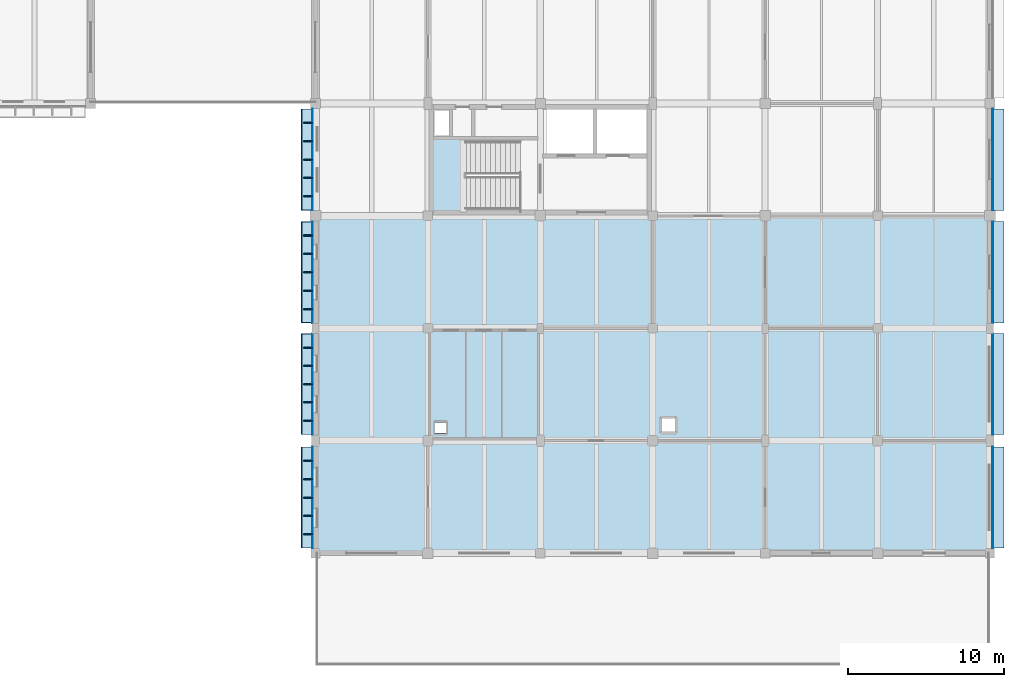
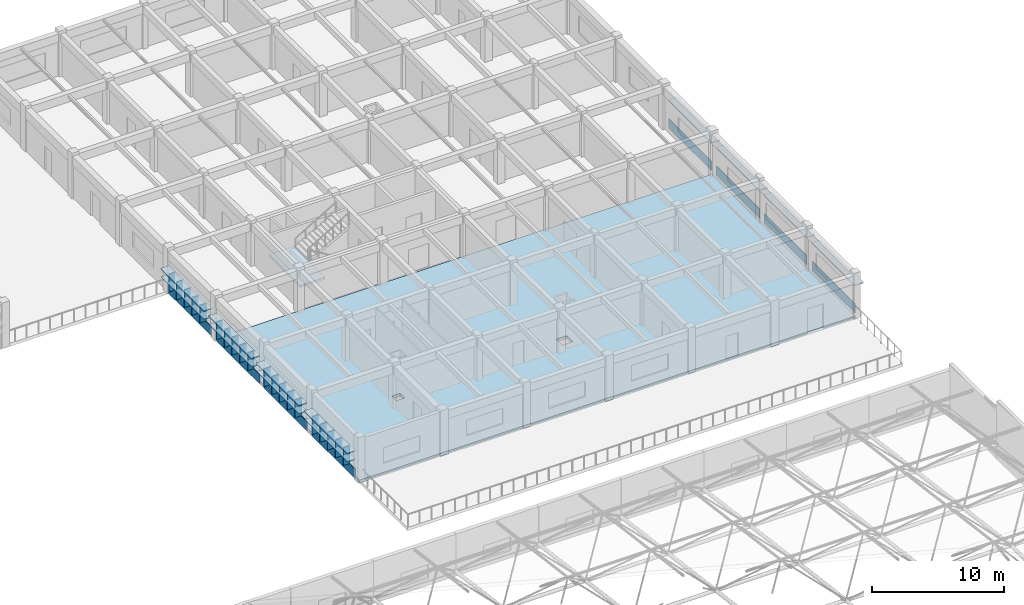
# One storey, part 77 of 103: 40 plates, 2 slabs, 1 element without a shape of its own.
"""IFC4 building model written with IfcOpenShell, lengths in metres."""

from ifc_helpers import new_model, si_unit, direction, frame, origin, origin_2d, place, context, subcontext, project, spatial, polyline, rectangle, outline, extrude, material, layer, layer_set, type_object, element, aggregate, save


model = new_model("IFC4")

# Units and contexts
model_context = context("Model", 3, precision=1e-05, world=origin(), true_north=direction((0.0, 1.0)))
body_context = subcontext(model_context, "Body", "Model", "MODEL_VIEW")
ifc_project = project(units=[si_unit("LENGTHUNIT", "METRE"), si_unit("AREAUNIT", "SQUARE_METRE"), si_unit("VOLUMEUNIT", "CUBIC_METRE"), si_unit("PLANEANGLEUNIT", "RADIAN"), si_unit("MASSUNIT", "GRAM", prefix="KILO")], contexts=[model_context])

# Site, building, storey
site_placement = place(None, origin())
site = spatial("IfcSite", under=ifc_project, at=site_placement, CompositionType="ELEMENT")
building_placement = place(site_placement, origin())
building = spatial("IfcBuilding", under=site, at=building_placement, Name="Thalmaran Polytechnic", CompositionType="ELEMENT")
storey_placement = place(building_placement, frame((0.0, 0.0, 14.39990234375)))
storey = spatial("IfcBuildingStorey", under=building, at=storey_placement, Name="L03", CompositionType="ELEMENT", Elevation=14.39990234375)

# Plates
ifc_material_1 = material(Name="Anodised aluminium spandrel band", Category="aluminium")
ifc_layer_1 = layer(ifc_material_1, 0.054931640625, Name="Anodised aluminium spandrel band")
ifc_layer_set_1 = layer_set([ifc_layer_1], Name="Anodised aluminium spandrel band")
plate_type_1 = type_object("IfcPlateType", Name="PT-BD01", PredefinedType="SHEET", material=ifc_layer_set_1)
plate_1_placement = place(storey_placement, frame((172.969970703125, 90.007568359375, 0.020263671875), z_axis=(0.0, 0.0, 1.0), x_axis=(0.0, -1.0, 0.0)))
element("IfcPlate", 1, at=plate_1_placement, inside=storey, type_object=plate_type_1, Name="Streamline Horizontal Spandrel Band L03-014", PredefinedType="SHEET", context=body_context, shape_type="SweptSolid", body=[
    extrude(rectangle(XDim=6.4951171875, YDim=0.054931640625, at=origin_2d()), origin(), (0.0, 0.0, 1.0), 0.8798828125),
])
plate_2_placement = place(storey_placement, frame((172.969970703125, 82.7900390625, 0.020263671875), z_axis=(0.0, 0.0, 1.0), x_axis=(0.0, -1.0, 0.0)))
element("IfcPlate", 2, at=plate_2_placement, inside=storey, type_object=plate_type_1, Name="Streamline Horizontal Spandrel Band L03-015", PredefinedType="SHEET", context=body_context, shape_type="SweptSolid", body=[
    extrude(rectangle(XDim=6.5, YDim=0.054931640625, at=origin_2d()), origin(), (0.0, 0.0, 1.0), 0.8798828125),
])
plate_3_placement = place(storey_placement, frame((172.969970703125, 75.62744140625, 0.020263671875), z_axis=(0.0, 0.0, 1.0), x_axis=(0.0, -1.0, 0.0)))
element("IfcPlate", 3, at=plate_3_placement, inside=storey, type_object=plate_type_1, Name="Streamline Horizontal Spandrel Band L03-016", PredefinedType="SHEET", context=body_context, shape_type="SweptSolid", body=[
    extrude(rectangle(XDim=6.465087890625, YDim=0.054931640625, at=origin_2d()), origin(), (0.0, 0.0, 1.0), 0.8798828125),
])
for number, where, z_axis, x_axis, name in (
    (4, (172.969970703125, 68.362548828125, 0.020263671875), (0.0, 0.0, 1.0), (0.0, -1.0, 0.0), "Streamline Horizontal Spandrel Band L03-017"),
    (5, (129.405029296875, 68.362548828125, 0.020263671875), (0.0, 0.0, 1.0), (0.0, 1.0, 0.0), "Streamline Horizontal Spandrel Band L03-024"),
):
    element("IfcPlate", number, at=place(storey_placement, frame(where, z_axis=z_axis, x_axis=x_axis)), inside=storey, type_object=plate_type_1, Name=name, PredefinedType="SHEET", context=body_context, shape_type="SweptSolid", body=[
        extrude(rectangle(XDim=6.485107421875, YDim=0.054931640625, at=origin_2d()), origin(), (0.0, 0.0, 1.0), 0.8798828125),
    ])
plate_4_placement = place(storey_placement, frame((129.405029296875, 75.62744140625, 0.020263671875), z_axis=(0.0, 0.0, 1.0), x_axis=(0.0, 1.0, 0.0)))
element("IfcPlate", 6, at=plate_4_placement, inside=storey, type_object=plate_type_1, Name="Streamline Horizontal Spandrel Band L03-025", PredefinedType="SHEET", context=body_context, shape_type="SweptSolid", body=[
    extrude(rectangle(XDim=6.465087890625, YDim=0.054931640625, at=origin_2d()), origin(), (0.0, 0.0, 1.0), 0.8798828125),
])
plate_5_placement = place(storey_placement, frame((129.405029296875, 82.7900390625, 0.020263671875), z_axis=(0.0, 0.0, 1.0), x_axis=(0.0, 1.0, 0.0)))
element("IfcPlate", 7, at=plate_5_placement, inside=storey, type_object=plate_type_1, Name="Streamline Horizontal Spandrel Band L03-026", PredefinedType="SHEET", context=body_context, shape_type="SweptSolid", body=[
    extrude(rectangle(XDim=6.5, YDim=0.054931640625, at=origin_2d()), origin(), (0.0, 0.0, 1.0), 0.8798828125),
])
plate_6_placement = place(storey_placement, frame((129.405029296875, 90.007568359375, 0.020263671875), z_axis=(0.0, 0.0, 1.0), x_axis=(0.0, 1.0, 0.0)))
element("IfcPlate", 8, at=plate_6_placement, inside=storey, type_object=plate_type_1, Name="Streamline Horizontal Spandrel Band L03-027", PredefinedType="SHEET", context=body_context, shape_type="SweptSolid", body=[
    extrude(rectangle(XDim=6.4951171875, YDim=0.054931640625, at=origin_2d()), origin(), (0.0, 0.0, 1.0), 0.8798828125),
])
ifc_material_2 = material(Name="Anodised aluminium sun-hood eyebrow", Category="aluminium")
ifc_layer_2 = layer(ifc_material_2, 0.0849609375, Name="Anodised aluminium sun-hood eyebrow")
ifc_layer_set_2 = layer_set([ifc_layer_2], Name="Anodised aluminium sun-hood eyebrow")
plate_type_2 = type_object("IfcPlateType", Name="PT-EB01", PredefinedType="SHEET", material=ifc_layer_set_2)
plate_7_placement = place(storey_placement, frame((173.31494140625, 90.007568359375, 2.517578125), z_axis=(0.0, 0.0, 1.0), x_axis=(0.0, -1.0, 0.0)))
element("IfcPlate", 9, at=plate_7_placement, inside=storey, type_object=plate_type_2, Name="Streamline Sun-Hood Eyebrow L03-014", PredefinedType="SHEET", context=body_context, shape_type="SweptSolid", body=[
    extrude(rectangle(XDim=6.4951171875, YDim=0.760009765625, at=origin_2d()), origin(), (0.0, 0.0, 1.0), 0.0849609375),
])
plate_8_placement = place(storey_placement, frame((173.31494140625, 82.7900390625, 2.517578125), z_axis=(0.0, 0.0, 1.0), x_axis=(0.0, -1.0, 0.0)))
element("IfcPlate", 10, at=plate_8_placement, inside=storey, type_object=plate_type_2, Name="Streamline Sun-Hood Eyebrow L03-015", PredefinedType="SHEET", context=body_context, shape_type="SweptSolid", body=[
    extrude(rectangle(XDim=6.5, YDim=0.760009765625, at=origin_2d()), origin(), (0.0, 0.0, 1.0), 0.0849609375),
])
plate_9_placement = place(storey_placement, frame((173.31494140625, 75.62744140625, 2.517578125), z_axis=(0.0, 0.0, 1.0), x_axis=(0.0, -1.0, 0.0)))
element("IfcPlate", 11, at=plate_9_placement, inside=storey, type_object=plate_type_2, Name="Streamline Sun-Hood Eyebrow L03-016", PredefinedType="SHEET", context=body_context, shape_type="SweptSolid", body=[
    extrude(rectangle(XDim=6.465087890625, YDim=0.760009765625, at=origin_2d()), origin(), (0.0, 0.0, 1.0), 0.0849609375),
])
for number, where, z_axis, x_axis, name in (
    (12, (173.31494140625, 68.362548828125, 2.517578125), (0.0, 0.0, 1.0), (0.0, -1.0, 0.0), "Streamline Sun-Hood Eyebrow L03-017"),
    (13, (129.06005859375, 68.362548828125, 2.517578125), (0.0, 0.0, 1.0), (0.0, 1.0, 0.0), "Streamline Sun-Hood Eyebrow L03-024"),
):
    element("IfcPlate", number, at=place(storey_placement, frame(where, z_axis=z_axis, x_axis=x_axis)), inside=storey, type_object=plate_type_2, Name=name, PredefinedType="SHEET", context=body_context, shape_type="SweptSolid", body=[
        extrude(rectangle(XDim=6.485107421875, YDim=0.760009765625, at=origin_2d()), origin(), (0.0, 0.0, 1.0), 0.0849609375),
    ])
plate_10_placement = place(storey_placement, frame((129.080078125, 68.362548828125, 1.74267578125), z_axis=(0.0, 0.0, 1.0), x_axis=(0.0, 1.0, 0.0)))
element("IfcPlate", 14, at=plate_10_placement, inside=storey, type_object=plate_type_2, Name="Abu Dhabi Horizontal Solar Louvre L03-024", PredefinedType="SHEET", context=body_context, shape_type="SweptSolid", body=[
    extrude(rectangle(XDim=6.445068359375, YDim=0.719970703125, at=origin_2d()), origin(), (0.0, 0.0, 1.0), 0.074951171875),
])
plate_11_placement = place(storey_placement, frame((129.06005859375, 75.62744140625, 2.517578125), z_axis=(0.0, 0.0, 1.0), x_axis=(0.0, 1.0, 0.0)))
element("IfcPlate", 15, at=plate_11_placement, inside=storey, type_object=plate_type_2, Name="Streamline Sun-Hood Eyebrow L03-025", PredefinedType="SHEET", context=body_context, shape_type="SweptSolid", body=[
    extrude(rectangle(XDim=6.465087890625, YDim=0.760009765625, at=origin_2d()), origin(), (0.0, 0.0, 1.0), 0.0849609375),
])
plate_12_placement = place(storey_placement, frame((129.080078125, 75.62744140625, 1.74267578125), z_axis=(0.0, 0.0, 1.0), x_axis=(0.0, 1.0, 0.0)))
element("IfcPlate", 16, at=plate_12_placement, inside=storey, type_object=plate_type_2, Name="Abu Dhabi Horizontal Solar Louvre L03-025", PredefinedType="SHEET", context=body_context, shape_type="SweptSolid", body=[
    extrude(rectangle(XDim=6.425048828125, YDim=0.719970703125, at=origin_2d()), origin(), (0.0, 0.0, 1.0), 0.074951171875),
])
plate_13_placement = place(storey_placement, frame((129.06005859375, 82.7900390625, 2.517578125), z_axis=(0.0, 0.0, 1.0), x_axis=(0.0, 1.0, 0.0)))
element("IfcPlate", 17, at=plate_13_placement, inside=storey, type_object=plate_type_2, Name="Streamline Sun-Hood Eyebrow L03-026", PredefinedType="SHEET", context=body_context, shape_type="SweptSolid", body=[
    extrude(rectangle(XDim=6.5, YDim=0.760009765625, at=origin_2d()), origin(), (0.0, 0.0, 1.0), 0.0849609375),
])
plate_14_placement = place(storey_placement, frame((129.080078125, 82.7900390625, 1.74267578125), z_axis=(0.0, 0.0, 1.0), x_axis=(0.0, 1.0, 0.0)))
element("IfcPlate", 18, at=plate_14_placement, inside=storey, type_object=plate_type_2, Name="Abu Dhabi Horizontal Solar Louvre L03-026", PredefinedType="SHEET", context=body_context, shape_type="SweptSolid", body=[
    extrude(rectangle(XDim=6.4599609375, YDim=0.719970703125, at=origin_2d()), origin(), (0.0, 0.0, 1.0), 0.074951171875),
])
plate_15_placement = place(storey_placement, frame((129.06005859375, 90.007568359375, 2.517578125), z_axis=(0.0, 0.0, 1.0), x_axis=(0.0, 1.0, 0.0)))
element("IfcPlate", 19, at=plate_15_placement, inside=storey, type_object=plate_type_2, Name="Streamline Sun-Hood Eyebrow L03-027", PredefinedType="SHEET", context=body_context, shape_type="SweptSolid", body=[
    extrude(rectangle(XDim=6.4951171875, YDim=0.760009765625, at=origin_2d()), origin(), (0.0, 0.0, 1.0), 0.0849609375),
])
plate_16_placement = place(storey_placement, frame((129.080078125, 90.007568359375, 1.74267578125), z_axis=(0.0, 0.0, 1.0), x_axis=(0.0, 1.0, 0.0)))
element("IfcPlate", 20, at=plate_16_placement, inside=storey, type_object=plate_type_2, Name="Abu Dhabi Horizontal Solar Louvre L03-027", PredefinedType="SHEET", context=body_context, shape_type="SweptSolid", body=[
    extrude(rectangle(XDim=6.455078125, YDim=0.719970703125, at=origin_2d()), origin(), (0.0, 0.0, 1.0), 0.074951171875),
])
ifc_material_3 = material(Name="Anodised bronze brise-soleil fin")
ifc_layer_3 = layer(ifc_material_3, 0.06494140625, Name="Anodised bronze brise-soleil fin")
ifc_layer_set_3 = layer_set([ifc_layer_3], Name="Anodised bronze brise-soleil fin")
plate_type_3 = type_object("IfcPlateType", Name="PT-FN01", PredefinedType="SHEET", material=ifc_layer_set_3)
for number, where, z_axis, x_axis, name in (
    (21, (129.139892578125, 66.013427734375, 0.895263671875), (0.0, 0.0, 1.0), (0.0, 1.0, 0.0), "Abu Dhabi Solar Brise-Soleil Fin L03-024-1"),
    (22, (129.139892578125, 67.18798828125, 0.895263671875), (0.0, 0.0, 1.0), (0.0, 1.0, 0.0), "Abu Dhabi Solar Brise-Soleil Fin L03-024-2"),
    (23, (129.139892578125, 68.362548828125, 0.895263671875), (0.0, 0.0, 1.0), (0.0, 1.0, 0.0), "Abu Dhabi Solar Brise-Soleil Fin L03-024-3"),
    (24, (129.139892578125, 69.537109375, 0.895263671875), (0.0, 0.0, 1.0), (0.0, 1.0, 0.0), "Abu Dhabi Solar Brise-Soleil Fin L03-024-4"),
    (25, (129.139892578125, 70.71142578125, 0.895263671875), (0.0, 0.0, 1.0), (0.0, 1.0, 0.0), "Abu Dhabi Solar Brise-Soleil Fin L03-024-5"),
    (26, (129.139892578125, 73.28564453125, 0.895263671875), (0.0, 0.0, 1.0), (0.0, 1.0, 0.0), "Abu Dhabi Solar Brise-Soleil Fin L03-025-1"),
    (27, (129.139892578125, 74.45654296875, 0.895263671875), (0.0, 0.0, 1.0), (0.0, 1.0, 0.0), "Abu Dhabi Solar Brise-Soleil Fin L03-025-2"),
    (28, (129.139892578125, 75.62744140625, 0.895263671875), (0.0, 0.0, 1.0), (0.0, 1.0, 0.0), "Abu Dhabi Solar Brise-Soleil Fin L03-025-3"),
    (29, (129.139892578125, 76.79833984375, 0.895263671875), (0.0, 0.0, 1.0), (0.0, 1.0, 0.0), "Abu Dhabi Solar Brise-Soleil Fin L03-025-4"),
    (30, (129.139892578125, 77.96923828125, 0.895263671875), (0.0, 0.0, 1.0), (0.0, 1.0, 0.0), "Abu Dhabi Solar Brise-Soleil Fin L03-025-5"),
    (31, (129.139892578125, 80.435546875, 0.895263671875), (0.0, 0.0, 1.0), (0.0, 1.0, 0.0), "Abu Dhabi Solar Brise-Soleil Fin L03-026-1"),
    (32, (129.139892578125, 81.61279296875, 0.895263671875), (0.0, 0.0, 1.0), (0.0, 1.0, 0.0), "Abu Dhabi Solar Brise-Soleil Fin L03-026-2"),
    (33, (129.139892578125, 82.7900390625, 0.895263671875), (0.0, 0.0, 1.0), (0.0, 1.0, 0.0), "Abu Dhabi Solar Brise-Soleil Fin L03-026-3"),
    (34, (129.139892578125, 83.96728515625, 0.895263671875), (0.0, 0.0, 1.0), (0.0, 1.0, 0.0), "Abu Dhabi Solar Brise-Soleil Fin L03-026-4"),
    (35, (129.139892578125, 85.144287109375, 0.895263671875), (0.0, 0.0, 1.0), (0.0, 1.0, 0.0), "Abu Dhabi Solar Brise-Soleil Fin L03-026-5"),
    (36, (129.139892578125, 87.65478515625, 0.895263671875), (0.0, 0.0, 1.0), (0.0, 1.0, 0.0), "Abu Dhabi Solar Brise-Soleil Fin L03-027-1"),
    (37, (129.139892578125, 88.831298828125, 0.895263671875), (0.0, 0.0, 1.0), (0.0, 1.0, 0.0), "Abu Dhabi Solar Brise-Soleil Fin L03-027-2"),
    (38, (129.139892578125, 90.007568359375, 0.895263671875), (0.0, 0.0, 1.0), (0.0, 1.0, 0.0), "Abu Dhabi Solar Brise-Soleil Fin L03-027-3"),
    (39, (129.139892578125, 91.183837890625, 0.895263671875), (0.0, 0.0, 1.0), (0.0, 1.0, 0.0), "Abu Dhabi Solar Brise-Soleil Fin L03-027-4"),
    (40, (129.139892578125, 92.360107421875, 0.895263671875), (0.0, 0.0, 1.0), (0.0, 1.0, 0.0), "Abu Dhabi Solar Brise-Soleil Fin L03-027-5"),
):
    element("IfcPlate", number, at=place(storey_placement, frame(where, z_axis=z_axis, x_axis=x_axis)), inside=storey, type_object=plate_type_3, Name=name, PredefinedType="SHEET", context=body_context, shape_type="SweptSolid", body=[
        extrude(rectangle(XDim=0.06494140625, YDim=0.56005859375, at=origin_2d()), origin(), (0.0, 0.0, 1.0), 1.64990234375),
    ])

# Slab
ifc_material_4 = material(Name="Concrete C40/50", Category="concrete")
ifc_layer_4 = layer(ifc_material_4, 0.27490234375, Name="Concrete C40/50")
ifc_layer_set_4 = layer_set([ifc_layer_4], Name="Concrete C40/50")
slab_type_1 = type_object("IfcSlabType", Name="SL-FL05", PredefinedType="FLOOR", material=ifc_layer_set_4)
slab_1_placement = place(storey_placement, frame((0.0, 0.0, -0.27490234375)))
element("IfcSlab", 41, at=slab_1_placement, inside=storey, type_object=slab_type_1, Name="V5S L03 Structural Slab", PredefinedType="FLOOR", context=body_context, shape_type="SweptSolid", body=[
    extrude(outline(polyline([(144.0, 86.39990234375), (151.199951171875, 86.39990234375), (158.39990234375, 86.39990234375), (165.60009765625, 86.39990234375), (172.800048828125, 86.39990234375), (172.800048828125, 79.199951171875), (172.800048828125, 72.0), (172.800048828125, 64.800048828125), (165.60009765625, 64.800048828125), (158.39990234375, 64.800048828125), (151.199951171875, 64.800048828125), (144.0, 64.800048828125), (136.800048828125, 64.800048828125), (129.60009765625, 64.800048828125), (129.60009765625, 72.0), (129.60009765625, 79.199951171875), (129.60009765625, 86.39990234375), (136.800048828125, 86.39990234375), (144.0, 86.39990234375)]), holes=[polyline([(152.64990234375, 73.449951171875), (151.75, 73.449951171875), (151.75, 72.550048828125), (152.64990234375, 72.550048828125), (152.64990234375, 73.449951171875)]), polyline([(137.25, 73.179931640625), (137.25, 72.47998046875), (137.949951171875, 72.47998046875), (137.949951171875, 73.179931640625), (137.25, 73.179931640625)])]), origin(), (0.0, 0.0, 1.0), 0.27490234375),
])

# Stair, slab
stair_type = type_object("IfcStairType", Name="ST-HT42", PredefinedType="HALF_TURN_STAIR", material=ifc_material_4)
stair_placement = place(storey_placement, origin())
stair = element("IfcStair", 42, at=stair_placement, inside=storey, type_object=stair_type, Name="Exit Stair ST5 L03", PredefinedType="HALF_TURN_STAIR")
ifc_layer_5 = layer(ifc_material_4, 0.2099609375, Name="Concrete C40/50")
ifc_layer_set_5 = layer_set([ifc_layer_5], Name="Concrete C40/50")
slab_type_2 = type_object("IfcSlabType", Name="SL-LD01", PredefinedType="LANDING", material=ifc_layer_set_5)
slab_2_placement = place(storey_placement, frame((0.0, 0.0, 1.89013671875)))
slab_2 = element("IfcSlab", 43, at=slab_2_placement, type_object=slab_type_2, Name="ST5 L03 Half Landing", PredefinedType="LANDING", context=body_context, shape_type="SweptSolid", body=[
    extrude(outline(polyline([(137.0400390625, 86.639892578125), (139.199951171875, 86.639892578125), (139.199951171875, 91.340087890625), (137.0400390625, 91.340087890625), (137.0400390625, 86.639892578125)])), origin(), (0.0, 0.0, 1.0), 0.2099609375),
])
aggregate(stair, [slab_2])

save(model, "model.ifc")
